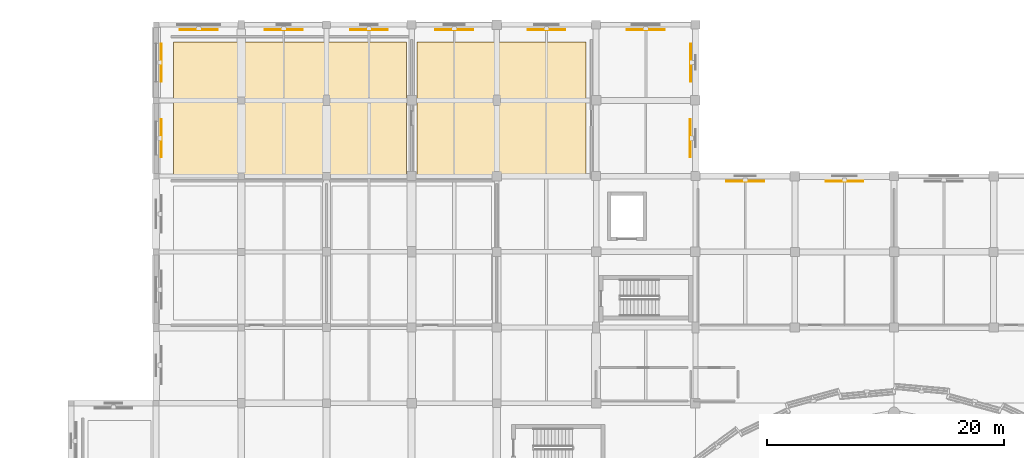
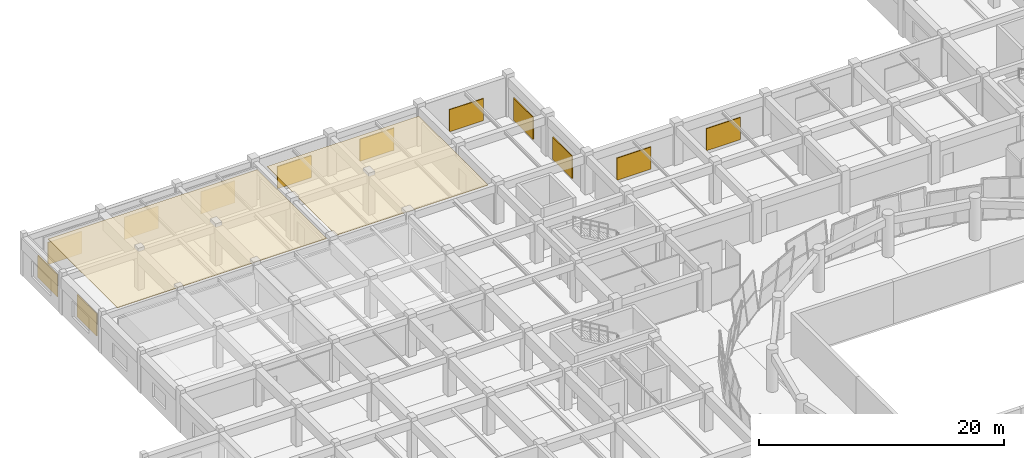
# One storey, part 67 of 71: 12 shading devices, 2 coverings.
"""IFC4 building model written with IfcOpenShell, lengths in metres."""

from ifc_helpers import new_model, si_unit, direction, frame, origin, origin_2d, place, context, subcontext, project, spatial, polyline, rectangle, outline, extrude, material, layer, layer_set, type_object, element, save


model = new_model("IFC4")

# Units and contexts
model_context = context("Model", 3, precision=1e-05, world=origin(), true_north=direction((0.0, 1.0)))
body_context = subcontext(model_context, "Body", "Model", "MODEL_VIEW")
ifc_project = project(units=[si_unit("LENGTHUNIT", "METRE"), si_unit("AREAUNIT", "SQUARE_METRE"), si_unit("VOLUMEUNIT", "CUBIC_METRE"), si_unit("PLANEANGLEUNIT", "RADIAN"), si_unit("MASSUNIT", "GRAM", prefix="KILO")], contexts=[model_context])

# Site, building, storey
site_placement = place(None, origin())
site = spatial("IfcSite", under=ifc_project, at=site_placement, CompositionType="ELEMENT")
building_placement = place(site_placement, origin())
building = spatial("IfcBuilding", under=site, at=building_placement, Name="Korsvaeld Concert Hall", CompositionType="ELEMENT")
storey_placement = place(building_placement, frame((0.0, 0.0, 4.800048828125)))
storey = spatial("IfcBuildingStorey", under=building, at=storey_placement, Name="L01", CompositionType="ELEMENT", Elevation=4.800048828125)

# Coverings
ifc_material_1 = material(Name="Suspended sculpted European oak acoustic ceiling")
ifc_layer_1 = layer(ifc_material_1, 0.044921875)
ifc_layer_set_1 = layer_set([ifc_layer_1], Name="Suspended sculpted European oak acoustic ceiling")
covering_type = type_object("IfcCoveringType", Name="COV-CEIL-OAK", PredefinedType="CEILING", material=ifc_layer_set_1)
covering_1_placement = place(storey_placement, frame((0.0, 0.0, 3.8349609375)))
element("IfcCovering", 1, at=covering_1_placement, inside=storey, type_object=covering_type, Name="Acoustic oak reflector ceiling L01-18", PredefinedType="CEILING", context=body_context, shape_type="SweptSolid", body=[
    extrude(outline(polyline([(23.050048828125, 113.75), (42.75, 113.75), (42.75, 102.449951171875), (23.050048828125, 102.449951171875), (23.050048828125, 113.75)])), origin(), (0.0, 0.0, 1.0), 0.044921875),
])
covering_2_placement = place(storey_placement, frame((0.0, 0.0, 3.8349609375)))
element("IfcCovering", 2, at=covering_2_placement, inside=storey, type_object=covering_type, Name="Acoustic oak reflector ceiling L01-19", PredefinedType="CEILING", context=body_context, shape_type="SweptSolid", body=[
    extrude(outline(polyline([(57.949951171875, 113.75), (57.949951171875, 102.449951171875), (43.64990234375, 102.449951171875), (43.64990234375, 113.75), (57.949951171875, 113.75)])), origin(), (0.0, 0.0, 1.0), 0.044921875),
])

# Shading devices
ifc_material_2 = material(Name="Anodised architectural bronze pierced jali screen")
ifc_layer_2 = layer(ifc_material_2, 0.080078125)
ifc_layer_set_2 = layer_set([ifc_layer_2], Name="Anodised architectural bronze pierced jali screen")
shading_device_type = type_object("IfcShadingDeviceType", Name="SHD-JALI-BRONZE", PredefinedType="JALOUSIE", material=ifc_layer_set_2)
for number, where, z_axis, x_axis, name in (
    (3, (22.014892578125, 105.60009765625, 0.5), (0.0, 0.0, 1.0), (0.0, 1.0, 0.0), "Bronze pierced jali brise-soleil screen L01-11"),
    (4, (22.030029296875, 112.0, 0.5), (0.0, 0.0, 1.0), (0.0, 1.0, 0.0), "Bronze pierced jali brise-soleil screen L01-12"),
    (5, (25.199951171875, 114.784912109375, 0.5), (0.0, 0.0, 1.0), (1.0, 0.0, 0.0), "Bronze pierced jali brise-soleil screen L01-13"),
    (6, (32.39990234375, 114.77001953125, 0.5), (0.0, 0.0, 1.0), (1.0, 0.0, 0.0), "Bronze pierced jali brise-soleil screen L01-14"),
    (7, (39.60009765625, 114.784912109375, 0.5), (0.0, 0.0, 1.0), (1.0, 0.0, 0.0), "Bronze pierced jali brise-soleil screen L01-15"),
    (8, (46.800048828125, 114.77001953125, 0.5), (0.0, 0.0, 1.0), (1.0, 0.0, 0.0), "Bronze pierced jali brise-soleil screen L01-16"),
    (9, (54.60009765625, 114.784912109375, 0.5), (0.0, 0.0, 1.0), (1.0, 0.0, 0.0), "Bronze pierced jali brise-soleil screen L01-17"),
    (10, (63.0, 114.77001953125, 0.5), (0.0, 0.0, 1.0), (1.0, 0.0, 0.0), "Bronze pierced jali brise-soleil screen L01-18"),
    (11, (66.784912109375, 112.0, 0.5), (0.0, 0.0, 1.0), (0.0, -1.0, 0.0), "Bronze pierced jali brise-soleil screen L01-19"),
    (12, (66.77001953125, 105.60009765625, 0.5), (0.0, 0.0, 1.0), (0.0, -1.0, 0.0), "Bronze pierced jali brise-soleil screen L01-20"),
    (13, (71.39990234375, 101.985107421875, 0.5), (0.0, 0.0, 1.0), (1.0, 0.0, 0.0), "Bronze pierced jali brise-soleil screen L01-21"),
    (14, (79.800048828125, 101.969970703125, 0.5), (0.0, 0.0, 1.0), (1.0, 0.0, 0.0), "Bronze pierced jali brise-soleil screen L01-22"),
):
    element("IfcShadingDevice", number, at=place(storey_placement, frame(where, z_axis=z_axis, x_axis=x_axis)), inside=storey, type_object=shading_device_type, Name=name, PredefinedType="JALOUSIE", context=body_context, shape_type="SweptSolid", body=[
        extrude(rectangle(XDim=3.199951171875, YDim=0.080078125, at=origin_2d()), origin(), (0.0, 0.0, 1.0), 2.199951171875),
    ])

save(model, "model.ifc")
